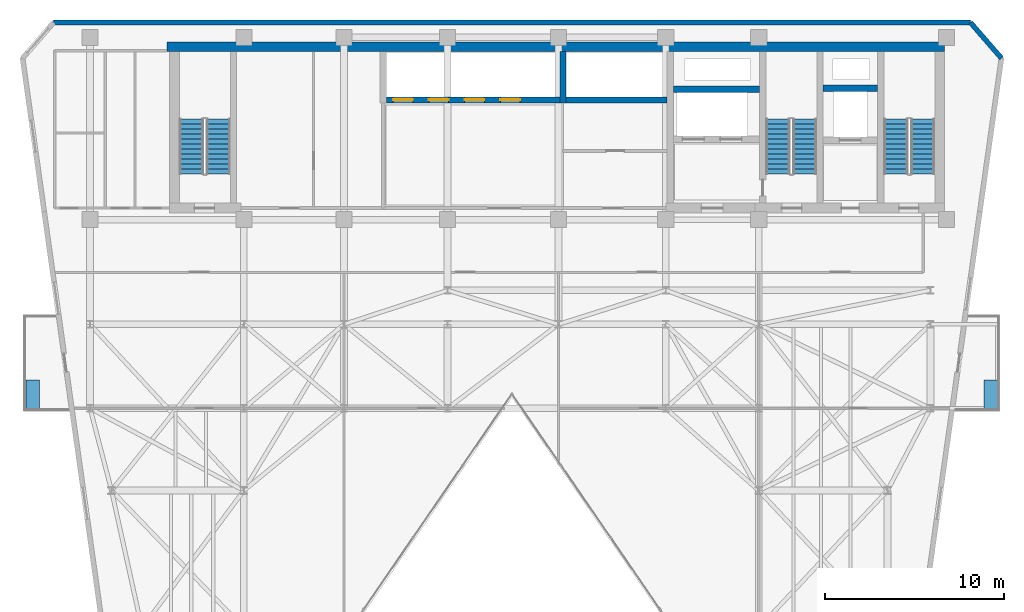
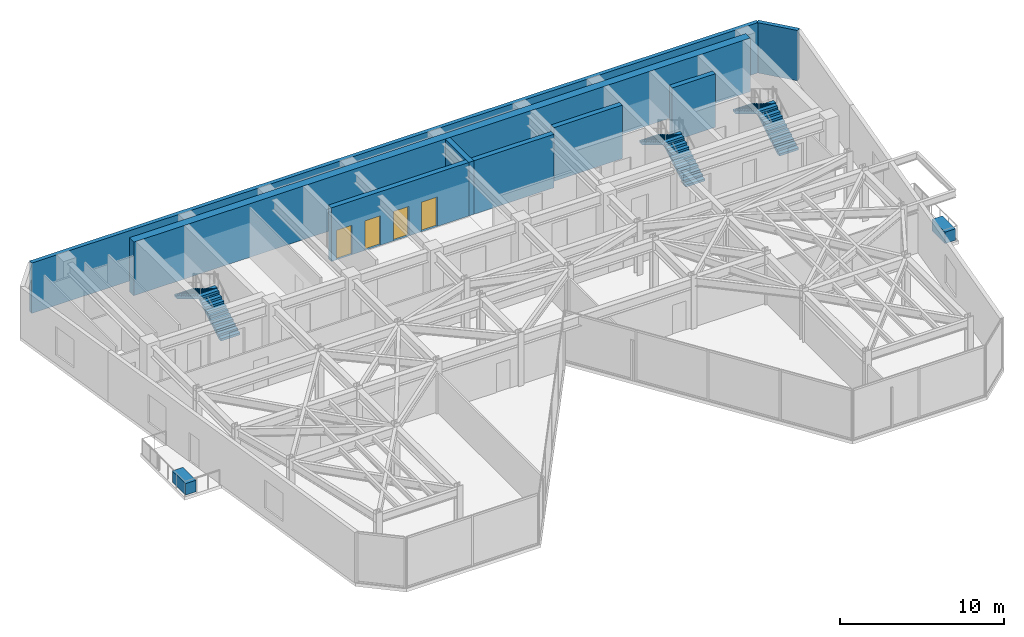
# One storey, part 18 of 21: 8 walls, 6 stair flights, 4 doors, 2 discrete accessories, 4 openings, 3 elements without a shape of their own.
"""IFC4 building model written with IfcOpenShell, lengths in metres."""

from ifc_helpers import new_model, si_unit, direction, frame, frame_2d, origin, origin_2d, place, context, subcontext, project, spatial, polyline, rectangle, outline, extrude, material, layer, layer_set, type_object, element, fill, aggregate, save


model = new_model("IFC4")

# Units and contexts
model_context = context("Model", 3, precision=1e-05, world=origin(), true_north=direction((0.0, 1.0)))
body_context = subcontext(model_context, "Body", "Model", "MODEL_VIEW")
ifc_project = project(units=[si_unit("LENGTHUNIT", "METRE"), si_unit("AREAUNIT", "SQUARE_METRE"), si_unit("VOLUMEUNIT", "CUBIC_METRE"), si_unit("PLANEANGLEUNIT", "RADIAN"), si_unit("MASSUNIT", "GRAM", prefix="KILO")], contexts=[model_context])

# Site, building, storey
site_placement = place(None, origin())
site = spatial("IfcSite", under=ifc_project, at=site_placement, CompositionType="ELEMENT")
building_placement = place(site_placement, origin())
building = spatial("IfcBuilding", under=site, at=building_placement, Name="Kravanh Interchange Tower", CompositionType="ELEMENT")
storey_placement = place(building_placement, frame((0.0, 0.0, 208.5)))
storey = spatial("IfcBuildingStorey", under=building, at=storey_placement, Name="L50", CompositionType="ELEMENT", Elevation=208.5)

# Walls
ifc_material_1 = material(Name="Concrete C60/75", Category="concrete")
ifc_layer_1 = layer(ifc_material_1, 0.35009765625)
ifc_layer_set_1 = layer_set([ifc_layer_1], Name="Core Shear Wall Concrete C60/75 350mm")
wall_type_1 = type_object("IfcWallType", Name="Core Shear Wall Concrete C60/75 350mm", PredefinedType="SHEAR", material=ifc_layer_set_1)
wall_1_placement = place(storey_placement, frame((59.60009765625, 44.699951171875, 0.0), z_axis=(0.0, 0.0, 1.0), x_axis=(1.0, 0.0, 0.0)))
element("IfcWall", 1, at=wall_1_placement, inside=storey, type_object=wall_type_1, Name="L50 Service Lift Shaft North Wall", PredefinedType="SHEAR", context=body_context, shape_type="SweptSolid", body=[
    extrude(rectangle(XDim=3.0498046875, YDim=0.35009765625, at=frame_2d((1.52490234375, 0.0))), origin(), (0.0, 0.0, 1.0), 4.0),
])
wall_2_placement = place(storey_placement, frame((51.22509765625, 44.64990234375, 0.0), z_axis=(0.0, 0.0, 1.0), x_axis=(1.0, 0.0, 0.0)))
element("IfcWall", 2, at=wall_2_placement, inside=storey, type_object=wall_type_1, Name="L50 Fire Lift Shaft North Wall", PredefinedType="SHEAR", context=body_context, shape_type="SweptSolid", body=[
    extrude(rectangle(XDim=4.824951171875, YDim=0.35009765625, at=frame_2d((2.41259765625, 0.0))), origin(), (0.0, 0.0, 1.0), 4.0),
])
wall_3_placement = place(storey_placement, frame((45.22509765625, 44.050048828125, 0.0), z_axis=(0.0, 0.0, 1.0), x_axis=(1.0, 0.0, 0.0)))
element("IfcWall", 3, at=wall_3_placement, inside=storey, type_object=wall_type_1, Name="L50 High-Rise Lift Shaft South Wall", PredefinedType="SHEAR", context=body_context, shape_type="SweptSolid", body=[
    extrude(rectangle(XDim=5.64990234375, YDim=0.35009765625, at=frame_2d((2.824951171875, 0.0))), origin(), (0.0, 0.0, 1.0), 4.0),
])
wall_4_placement = place(storey_placement, frame((45.050048828125, 43.875, 0.0), z_axis=(0.0, 0.0, 1.0), x_axis=(0.0, 1.0, 0.0)))
element("IfcWall", 4, at=wall_4_placement, inside=storey, type_object=wall_type_1, Name="L50 High-Rise Lift Shaft West Wall", PredefinedType="SHEAR", context=body_context, shape_type="SweptSolid", body=[
    extrude(rectangle(XDim=2.875, YDim=0.35009765625, at=frame_2d((1.4375, 0.0))), origin(), (0.0, 0.0, 1.0), 4.0),
])

# Wall, openings, doors
wall_5_placement = place(storey_placement, frame((35.175048828125, 44.050048828125, 0.0), z_axis=(0.0, 0.0, 1.0), x_axis=(1.0, 0.0, 0.0)))
wall_5 = element("IfcWall", 5, at=wall_5_placement, inside=storey, type_object=wall_type_1, Name="L50 Mid-Rise Lift Shaft South Wall", PredefinedType="SHEAR", context=body_context, shape_type="SweptSolid", body=[
    extrude(rectangle(XDim=9.699951171875, YDim=0.35009765625, at=frame_2d((4.85009765625, 0.0))), origin(), (0.0, 0.0, 1.0), 4.0),
])
opening_1_placement = place(wall_5_placement, frame((0.375, 0.0, 0.0)))
opening_1 = element("IfcOpeningElement", 6, at=opening_1_placement, cuts=wall_5, Name="Opening LD01", PredefinedType="OPENING", context=body_context, shape_type="SweptSolid", body=[
    extrude(rectangle(XDim=1.10009765625, YDim=2.199951171875, at=frame_2d((0.550048828125, 1.10009765625))), frame((0.0, 0.18505859375, 0.0), z_axis=(0.0, -1.0, 0.0), x_axis=(1.0, 0.0, 0.0)), (0.0, 0.0, 1.0), 0.3701171875),
])
opening_2_placement = place(wall_5_placement, frame((2.375, 0.0, 0.0)))
opening_2 = element("IfcOpeningElement", 7, at=opening_2_placement, cuts=wall_5, Name="Opening LD01", PredefinedType="OPENING", context=body_context, shape_type="SweptSolid", body=[
    extrude(rectangle(XDim=1.10009765625, YDim=2.199951171875, at=frame_2d((0.550048828125, 1.10009765625))), frame((0.0, 0.18505859375, 0.0), z_axis=(0.0, -1.0, 0.0), x_axis=(1.0, 0.0, 0.0)), (0.0, 0.0, 1.0), 0.3701171875),
])
opening_3_placement = place(wall_5_placement, frame((4.375, 0.0, 0.0)))
opening_3 = element("IfcOpeningElement", 8, at=opening_3_placement, cuts=wall_5, Name="Opening LD01", PredefinedType="OPENING", context=body_context, shape_type="SweptSolid", body=[
    extrude(rectangle(XDim=1.10009765625, YDim=2.199951171875, at=frame_2d((0.550048828125, 1.10009765625))), frame((0.0, 0.18505859375, 0.0), z_axis=(0.0, -1.0, 0.0), x_axis=(1.0, 0.0, 0.0)), (0.0, 0.0, 1.0), 0.3701171875),
])
opening_4_placement = place(wall_5_placement, frame((6.375, 0.0, 0.0)))
opening_4 = element("IfcOpeningElement", 9, at=opening_4_placement, cuts=wall_5, Name="Opening LD01", PredefinedType="OPENING", context=body_context, shape_type="SweptSolid", body=[
    extrude(rectangle(XDim=1.10009765625, YDim=2.199951171875, at=frame_2d((0.550048828125, 1.10009765625))), frame((0.0, 0.18505859375, 0.0), z_axis=(0.0, -1.0, 0.0), x_axis=(1.0, 0.0, 0.0)), (0.0, 0.0, 1.0), 0.3701171875),
])
ifc_material_2 = material(Name="Stainless Steel 304", Category="steel")
door_type = type_object("IfcDoorType", Name="Passenger Lift Sliding Landing Door 1100x2200", OperationType="DOUBLE_DOOR_SLIDING", PredefinedType="DOOR", material=ifc_material_2)
door_1_placement = place(opening_1_placement, origin())
door_1 = element("IfcDoor", 10, at=door_1_placement, inside=storey, type_object=door_type, Name="L50 Lift LP-M1 Landing Door", OperationType="DOUBLE_DOOR_SLIDING", OverallHeight=2.199951171875, OverallWidth=1.10009765625, PredefinedType="DOOR", context=body_context, shape_type="SweptSolid", body=[
    extrude(rectangle(XDim=1.10009765625, YDim=2.199951171875, at=frame_2d((0.550048828125, 1.10009765625))), frame((0.0, 0.02490234375, 0.0), z_axis=(0.0, -1.0, 0.0), x_axis=(1.0, 0.0, 0.0)), (0.0, 0.0, 1.0), 0.050048828125),
])
fill(opening_1, door_1)
door_2_placement = place(opening_2_placement, origin())
door_2 = element("IfcDoor", 11, at=door_2_placement, inside=storey, type_object=door_type, Name="L50 Lift LP-M2 Landing Door", OperationType="DOUBLE_DOOR_SLIDING", OverallHeight=2.199951171875, OverallWidth=1.10009765625, PredefinedType="DOOR", context=body_context, shape_type="SweptSolid", body=[
    extrude(rectangle(XDim=1.10009765625, YDim=2.199951171875, at=frame_2d((0.550048828125, 1.10009765625))), frame((0.0, 0.02490234375, 0.0), z_axis=(0.0, -1.0, 0.0), x_axis=(1.0, 0.0, 0.0)), (0.0, 0.0, 1.0), 0.050048828125),
])
fill(opening_2, door_2)
door_3_placement = place(opening_3_placement, origin())
door_3 = element("IfcDoor", 12, at=door_3_placement, inside=storey, type_object=door_type, Name="L50 Lift LP-M3 Landing Door", OperationType="DOUBLE_DOOR_SLIDING", OverallHeight=2.199951171875, OverallWidth=1.10009765625, PredefinedType="DOOR", context=body_context, shape_type="SweptSolid", body=[
    extrude(rectangle(XDim=1.10009765625, YDim=2.199951171875, at=frame_2d((0.550048828125, 1.10009765625))), frame((0.0, 0.02490234375, 0.0), z_axis=(0.0, -1.0, 0.0), x_axis=(1.0, 0.0, 0.0)), (0.0, 0.0, 1.0), 0.050048828125),
])
fill(opening_3, door_3)
door_4_placement = place(opening_4_placement, origin())
door_4 = element("IfcDoor", 13, at=door_4_placement, inside=storey, type_object=door_type, Name="L50 Lift LP-M4 Landing Door", OperationType="DOUBLE_DOOR_SLIDING", OverallHeight=2.199951171875, OverallWidth=1.10009765625, PredefinedType="DOOR", context=body_context, shape_type="SweptSolid", body=[
    extrude(rectangle(XDim=1.10009765625, YDim=2.199951171875, at=frame_2d((0.550048828125, 1.10009765625))), frame((0.0, 0.02490234375, 0.0), z_axis=(0.0, -1.0, 0.0), x_axis=(1.0, 0.0, 0.0)), (0.0, 0.0, 1.0), 0.050048828125),
])
fill(opening_4, door_4)

# Walls
ifc_material_3 = material(Name="Concrete C70/85", Category="concrete")
ifc_layer_2 = layer(ifc_material_3, 0.550048828125)
ifc_layer_set_2 = layer_set([ifc_layer_2], Name="Core Shear Wall Concrete C70/85 550mm")
wall_type_2 = type_object("IfcWallType", Name="Core Shear Wall Concrete C70/85 550mm", PredefinedType="SHEAR", material=ifc_layer_set_2)
wall_6_placement = place(storey_placement, frame((22.89990234375, 47.02490234375, 0.0), z_axis=(0.0, 0.0, 1.0), x_axis=(1.0, 0.0, 0.0)))
element("IfcWall", 14, at=wall_6_placement, inside=storey, type_object=wall_type_2, Name="L50 North Core Shear Wall", PredefinedType="SHEAR", context=body_context, shape_type="SweptSolid", body=[
    extrude(rectangle(XDim=43.5, YDim=0.550048828125, at=frame_2d((21.75, 0.0))), origin(), (0.0, 0.0, 1.0), 4.0),
])
ifc_material_4 = material(Name="Insulated Precast Concrete C40/50 with Bronze Cladding", Category="concrete")
ifc_layer_3 = layer(ifc_material_4, 0.280029296875)
ifc_layer_set_3 = layer_set([ifc_layer_3], Name="Exterior Insulated Concrete C40/50 Bronze Spandrel Wall 280mm")
wall_type_3 = type_object("IfcWallType", Name="Exterior Insulated Concrete C40/50 Bronze Spandrel Wall 280mm", PredefinedType="STANDARD", material=ifc_layer_set_3)
wall_7_placement = place(storey_placement, frame((16.5546875, 48.3798828125, 0.0), z_axis=(0.0, 0.0, 1.0), x_axis=(1.0, 0.0, 0.0)))
element("IfcWall", 15, at=wall_7_placement, inside=storey, type_object=wall_type_3, Name="L50 Exterior Wall 4", PredefinedType="STANDARD", context=body_context, shape_type="SweptSolid", body=[
    extrude(rectangle(XDim=51.29052734375, YDim=0.280029296875, at=frame_2d((25.645263671875, 0.0))), origin(), (0.0, 0.0, 1.0), 3.7548828125),
])
wall_8_placement = place(storey_placement, frame((67.84521484375, 48.3798828125, 0.0), z_axis=(0.0, 0.0, 1.0), x_axis=(0.656071351282, -0.754698868442, 0.0)))
element("IfcWall", 16, at=wall_8_placement, inside=storey, type_object=wall_type_3, Name="L50 Exterior Wall 5", PredefinedType="STANDARD", context=body_context, shape_type="SweptSolid", body=[
    extrude(rectangle(XDim=2.646240234375, YDim=0.280029296875, at=frame_2d((1.3232421875, 0.0))), origin(), (0.0, 0.0, 1.0), 3.7548828125),
])

# Stair, stair flights
ifc_material_5 = material(Name="Concrete C50/60", Category="concrete")
stair_type = type_object("IfcStairType", Name="Core Fire Exit Dogleg Stair Concrete C50/60", PredefinedType="HALF_TURN_STAIR", material=ifc_material_5)
stair_1_placement = place(storey_placement, origin())
stair_1 = element("IfcStair", 17, at=stair_1_placement, inside=storey, type_object=stair_type, Name="L50 Exit Stair ST1", PredefinedType="HALF_TURN_STAIR")
ifc_material_6 = material(Name="Precast Concrete C50/60", Category="concrete")
ifc_layer_4 = layer(ifc_material_6, 0.199951171875)
ifc_layer_set_4 = layer_set([ifc_layer_4], Name="Precast Concrete C50/60 Stair Flight 1350mm")
stair_flight_type = type_object("IfcStairFlightType", Name="Precast Concrete C50/60 Stair Flight 1350mm", PredefinedType="STRAIGHT", material=ifc_layer_set_4)
stair_flight_1_placement = place(storey_placement, frame((65.175048828125, 39.89990234375, 0.0), z_axis=(0.0, 0.0, 1.0), x_axis=(0.0, 1.0, 0.0)))
stair_flight_1 = element("IfcStairFlight", 18, at=stair_flight_1_placement, type_object=stair_flight_type, Name="ST1 flight 1", NumberOfRisers=12, NumberOfTreads=11, PredefinedType="STRAIGHT", RiserHeight=0.166666667, TreadLength=0.28, context=body_context, shape_type="SweptSolid", body=[
    extrude(outline(polyline([(0.0, 0.0), (0.0, 0.166748046875), (0.280029296875, 0.166748046875), (0.280029296875, 0.333251953125), (0.56005859375, 0.333251953125), (0.56005859375, 0.5), (0.840087890625, 0.5), (0.840087890625, 0.666748046875), (1.1201171875, 0.666748046875), (1.1201171875, 0.833251953125), (1.39990234375, 0.833251953125), (1.39990234375, 1.0), (1.679931640625, 1.0), (1.679931640625, 1.166748046875), (1.9599609375, 1.166748046875), (1.9599609375, 1.333251953125), (2.239990234375, 1.333251953125), (2.239990234375, 1.5), (2.52001953125, 1.5), (2.52001953125, 1.666748046875), (2.800048828125, 1.666748046875), (2.800048828125, 1.833251953125), (3.080078125, 1.833251953125), (3.080078125, 2.0), (3.080078125, 1.658935546875), (0.29296875, 0.0), (0.0, 0.0)])), frame((0.0, 0.675048828125, 0.0), z_axis=(0.0, -1.0, 0.0), x_axis=(1.0, 0.0, 0.0)), (0.0, 0.0, 1.0), 1.35009765625),
])
stair_flight_2_placement = place(storey_placement, frame((63.675048828125, 42.97998046875, 2.0), z_axis=(0.0, 0.0, 1.0), x_axis=(0.0, -1.0, 0.0)))
stair_flight_2 = element("IfcStairFlight", 19, at=stair_flight_2_placement, type_object=stair_flight_type, Name="ST1 flight 2", NumberOfRisers=12, NumberOfTreads=11, PredefinedType="STRAIGHT", RiserHeight=0.166666667, TreadLength=0.28, context=body_context, shape_type="SweptSolid", body=[
    extrude(outline(polyline([(0.0, 0.0), (0.0, 0.166748046875), (0.280029296875, 0.166748046875), (0.280029296875, 0.333251953125), (0.56005859375, 0.333251953125), (0.56005859375, 0.5), (0.840087890625, 0.5), (0.840087890625, 0.666748046875), (1.1201171875, 0.666748046875), (1.1201171875, 0.833251953125), (1.39990234375, 0.833251953125), (1.39990234375, 1.0), (1.679931640625, 1.0), (1.679931640625, 1.166748046875), (1.9599609375, 1.166748046875), (1.9599609375, 1.333251953125), (2.239990234375, 1.333251953125), (2.239990234375, 1.5), (2.52001953125, 1.5), (2.52001953125, 1.666748046875), (2.800048828125, 1.666748046875), (2.800048828125, 1.833251953125), (3.080078125, 1.833251953125), (3.080078125, 2.0), (3.080078125, 1.658935546875), (0.29296875, 0.0), (0.0, 0.0)])), frame((0.0, 0.675048828125, 0.0), z_axis=(0.0, -1.0, 0.0), x_axis=(1.0, 0.0, 0.0)), (0.0, 0.0, 1.0), 1.35009765625),
])
aggregate(stair_1, [stair_flight_1, stair_flight_2])

stair_2_placement = place(storey_placement, origin())
stair_2 = element("IfcStair", 20, at=stair_2_placement, inside=storey, type_object=stair_type, Name="L50 Exit Stair ST2", PredefinedType="HALF_TURN_STAIR")
stair_flight_3_placement = place(storey_placement, frame((58.574951171875, 39.89990234375, 0.0), z_axis=(0.0, 0.0, 1.0), x_axis=(0.0, 1.0, 0.0)))
stair_flight_3 = element("IfcStairFlight", 21, at=stair_flight_3_placement, type_object=stair_flight_type, Name="ST2 flight 1", NumberOfRisers=12, NumberOfTreads=11, PredefinedType="STRAIGHT", RiserHeight=0.166666667, TreadLength=0.28, context=body_context, shape_type="SweptSolid", body=[
    extrude(outline(polyline([(0.0, 0.0), (0.0, 0.166748046875), (0.280029296875, 0.166748046875), (0.280029296875, 0.333251953125), (0.56005859375, 0.333251953125), (0.56005859375, 0.5), (0.840087890625, 0.5), (0.840087890625, 0.666748046875), (1.1201171875, 0.666748046875), (1.1201171875, 0.833251953125), (1.39990234375, 0.833251953125), (1.39990234375, 1.0), (1.679931640625, 1.0), (1.679931640625, 1.166748046875), (1.9599609375, 1.166748046875), (1.9599609375, 1.333251953125), (2.239990234375, 1.333251953125), (2.239990234375, 1.5), (2.52001953125, 1.5), (2.52001953125, 1.666748046875), (2.800048828125, 1.666748046875), (2.800048828125, 1.833251953125), (3.080078125, 1.833251953125), (3.080078125, 2.0), (3.080078125, 1.658935546875), (0.29296875, 0.0), (0.0, 0.0)])), frame((0.0, 0.675048828125, 0.0), z_axis=(0.0, -1.0, 0.0), x_axis=(1.0, 0.0, 0.0)), (0.0, 0.0, 1.0), 1.35009765625),
])
stair_flight_4_placement = place(storey_placement, frame((57.074951171875, 42.97998046875, 2.0), z_axis=(0.0, 0.0, 1.0), x_axis=(0.0, -1.0, 0.0)))
stair_flight_4 = element("IfcStairFlight", 22, at=stair_flight_4_placement, type_object=stair_flight_type, Name="ST2 flight 2", NumberOfRisers=12, NumberOfTreads=11, PredefinedType="STRAIGHT", RiserHeight=0.166666667, TreadLength=0.28, context=body_context, shape_type="SweptSolid", body=[
    extrude(outline(polyline([(0.0, 0.0), (0.0, 0.166748046875), (0.280029296875, 0.166748046875), (0.280029296875, 0.333251953125), (0.56005859375, 0.333251953125), (0.56005859375, 0.5), (0.840087890625, 0.5), (0.840087890625, 0.666748046875), (1.1201171875, 0.666748046875), (1.1201171875, 0.833251953125), (1.39990234375, 0.833251953125), (1.39990234375, 1.0), (1.679931640625, 1.0), (1.679931640625, 1.166748046875), (1.9599609375, 1.166748046875), (1.9599609375, 1.333251953125), (2.239990234375, 1.333251953125), (2.239990234375, 1.5), (2.52001953125, 1.5), (2.52001953125, 1.666748046875), (2.800048828125, 1.666748046875), (2.800048828125, 1.833251953125), (3.080078125, 1.833251953125), (3.080078125, 2.0), (3.080078125, 1.658935546875), (0.29296875, 0.0), (0.0, 0.0)])), frame((0.0, 0.675048828125, 0.0), z_axis=(0.0, -1.0, 0.0), x_axis=(1.0, 0.0, 0.0)), (0.0, 0.0, 1.0), 1.35009765625),
])
aggregate(stair_2, [stair_flight_3, stair_flight_4])

stair_3_placement = place(storey_placement, origin())
stair_3 = element("IfcStair", 23, at=stair_3_placement, inside=storey, type_object=stair_type, Name="L50 Exit Stair ST3", PredefinedType="HALF_TURN_STAIR")
stair_flight_5_placement = place(storey_placement, frame((25.77490234375, 39.89990234375, 0.0), z_axis=(0.0, 0.0, 1.0), x_axis=(0.0, 1.0, 0.0)))
stair_flight_5 = element("IfcStairFlight", 24, at=stair_flight_5_placement, type_object=stair_flight_type, Name="ST3 flight 1", NumberOfRisers=12, NumberOfTreads=11, PredefinedType="STRAIGHT", RiserHeight=0.166666667, TreadLength=0.28, context=body_context, shape_type="SweptSolid", body=[
    extrude(outline(polyline([(0.0, 0.0), (0.0, 0.166748046875), (0.280029296875, 0.166748046875), (0.280029296875, 0.333251953125), (0.56005859375, 0.333251953125), (0.56005859375, 0.5), (0.840087890625, 0.5), (0.840087890625, 0.666748046875), (1.1201171875, 0.666748046875), (1.1201171875, 0.833251953125), (1.39990234375, 0.833251953125), (1.39990234375, 1.0), (1.679931640625, 1.0), (1.679931640625, 1.166748046875), (1.9599609375, 1.166748046875), (1.9599609375, 1.333251953125), (2.239990234375, 1.333251953125), (2.239990234375, 1.5), (2.52001953125, 1.5), (2.52001953125, 1.666748046875), (2.800048828125, 1.666748046875), (2.800048828125, 1.833251953125), (3.080078125, 1.833251953125), (3.080078125, 2.0), (3.080078125, 1.658935546875), (0.29296875, 0.0), (0.0, 0.0)])), frame((0.0, 0.675048828125, 0.0), z_axis=(0.0, -1.0, 0.0), x_axis=(1.0, 0.0, 0.0)), (0.0, 0.0, 1.0), 1.35009765625),
])
stair_flight_6_placement = place(storey_placement, frame((24.27490234375, 42.97998046875, 2.0), z_axis=(0.0, 0.0, 1.0), x_axis=(0.0, -1.0, 0.0)))
stair_flight_6 = element("IfcStairFlight", 25, at=stair_flight_6_placement, type_object=stair_flight_type, Name="ST3 flight 2", NumberOfRisers=12, NumberOfTreads=11, PredefinedType="STRAIGHT", RiserHeight=0.166666667, TreadLength=0.28, context=body_context, shape_type="SweptSolid", body=[
    extrude(outline(polyline([(0.0, 0.0), (0.0, 0.166748046875), (0.280029296875, 0.166748046875), (0.280029296875, 0.333251953125), (0.56005859375, 0.333251953125), (0.56005859375, 0.5), (0.840087890625, 0.5), (0.840087890625, 0.666748046875), (1.1201171875, 0.666748046875), (1.1201171875, 0.833251953125), (1.39990234375, 0.833251953125), (1.39990234375, 1.0), (1.679931640625, 1.0), (1.679931640625, 1.166748046875), (1.9599609375, 1.166748046875), (1.9599609375, 1.333251953125), (2.239990234375, 1.333251953125), (2.239990234375, 1.5), (2.52001953125, 1.5), (2.52001953125, 1.666748046875), (2.800048828125, 1.666748046875), (2.800048828125, 1.833251953125), (3.080078125, 1.833251953125), (3.080078125, 2.0), (3.080078125, 1.658935546875), (0.29296875, 0.0), (0.0, 0.0)])), frame((0.0, 0.675048828125, 0.0), z_axis=(0.0, -1.0, 0.0), x_axis=(1.0, 0.0, 0.0)), (0.0, 0.0, 1.0), 1.35009765625),
])
aggregate(stair_3, [stair_flight_5, stair_flight_6])

# Discrete accessories
ifc_material_7 = material(Name="Architectural GRC Concrete C40/50 with Root Barrier", Category="concrete")
discrete_accessory_type = type_object("IfcDiscreteAccessoryType", Name="Structural Balcony Tree Planter Box Concrete C40/50 1600x750x850", PredefinedType="USERDEFINED", material=ifc_material_7)
for number, where, z_axis, x_axis, name in (
    (26, (68.969970703125, 27.580078125, 0.0), (0.0, 0.0, 1.0), (1.0, 0.0, 0.0), "L50 E Balcony TREE PLANTER"),
    (27, (15.385009765625, 27.580078125, 0.0), (0.0, 0.0, 1.0), (1.0, 0.0, 0.0), "L50 W Balcony TREE PLANTER"),
):
    element("IfcDiscreteAccessory", number, at=place(storey_placement, frame(where, z_axis=z_axis, x_axis=x_axis)), inside=storey, type_object=discrete_accessory_type, Name=name, ObjectType="PLANTER", PredefinedType="USERDEFINED", context=body_context, shape_type="SweptSolid", body=[
        extrude(rectangle(XDim=0.75, YDim=1.60009765625, at=origin_2d()), origin(), (0.0, 0.0, 1.0), 0.85009765625),
    ])

save(model, "model.ifc")
